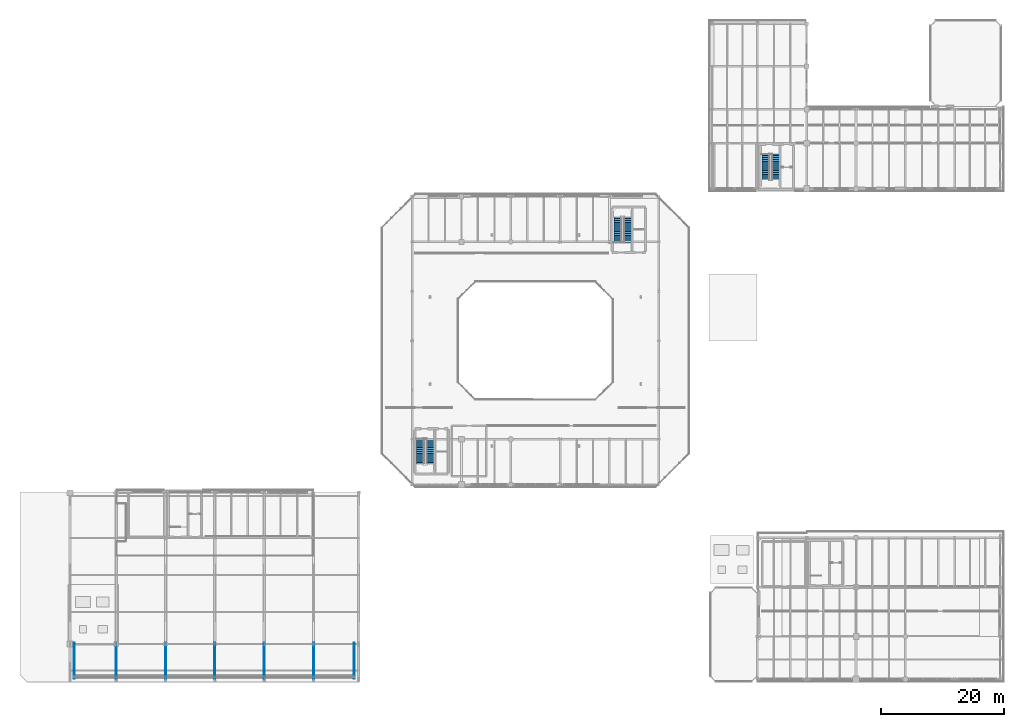
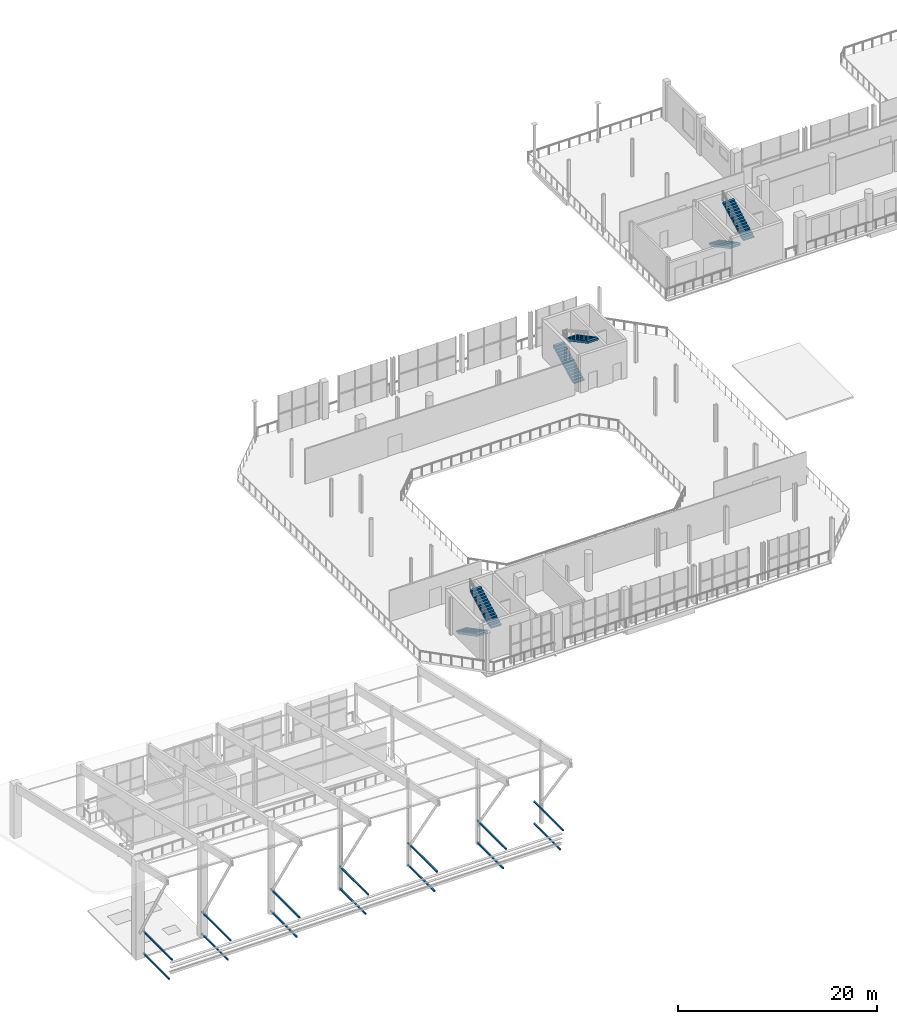
# One storey, part 40 of 51: 14 discrete accessories, 6 stair flights, 3 elements without a shape of their own.
"""IFC4 building model written with IfcOpenShell, lengths in metres."""

from ifc_helpers import new_model, si_unit, direction, frame, origin, origin_2d, place, context, subcontext, project, spatial, polyline, rectangle, outline, extrude, material, type_object, element, aggregate, save


model = new_model("IFC4")

# Units and contexts
model_context = context("Model", 3, precision=1e-05, world=origin(), true_north=direction((0.0, 1.0)))
body_context = subcontext(model_context, "Body", "Model", "MODEL_VIEW")
ifc_project = project(units=[si_unit("LENGTHUNIT", "METRE"), si_unit("AREAUNIT", "SQUARE_METRE"), si_unit("VOLUMEUNIT", "CUBIC_METRE"), si_unit("PLANEANGLEUNIT", "RADIAN"), si_unit("MASSUNIT", "GRAM", prefix="KILO")], contexts=[model_context])

# Site, building, storey
site_placement = place(None, origin())
site = spatial("IfcSite", under=ifc_project, at=site_placement, CompositionType="ELEMENT")
building_placement = place(site_placement, origin())
building = spatial("IfcBuilding", under=site, at=building_placement, Name="Brisemont Oceanarium", CompositionType="ELEMENT")
storey_placement = place(building_placement, frame((0.0, 0.0, 15.0)))
storey = spatial("IfcBuildingStorey", under=building, at=storey_placement, Name="L03", CompositionType="ELEMENT", Elevation=15.0)

# Stair, stair flights
ifc_material_1 = material(Name="Concrete C40/50", Category="concrete")
stair_type = type_object("IfcStairType", Name="STR-CORE-124-48", PredefinedType="HALF_TURN_STAIR", material=ifc_material_1)
stair_1_placement = place(storey_placement, origin())
stair_1 = element("IfcStair", 1, at=stair_1_placement, inside=storey, type_object=stair_type, Name="Exit stair ST-01 L03 to L04", PredefinedType="HALF_TURN_STAIR")
ifc_material_2 = material(Name="Concrete C40/50", Category="concrete")
stair_flight_type = type_object("IfcStairFlightType", Name="FLT-CORE-124-48", PredefinedType="STRAIGHT", material=ifc_material_2)
stair_flight_1_placement = place(storey_placement, frame((65.330078125, 40.14990234375, 0.0), z_axis=(0.0, 0.0, 1.0), x_axis=(0.0, -1.0, 0.0)))
stair_flight_1 = element("IfcStairFlight", 2, at=stair_flight_1_placement, type_object=stair_flight_type, Name="ST-01 L03 lower flight", NumberOfRisers=15, NumberOfTreads=14, PredefinedType="STRAIGHT", RiserHeight=0.16, TreadLength=0.303571, context=body_context, shape_type="SweptSolid", body=[
    extrude(outline(polyline([(0.0, 0.0), (0.0, 0.159912109375), (0.303466796875, 0.159912109375), (0.303466796875, 0.320068359375), (0.607177734375, 0.320068359375), (0.607177734375, 0.47998046875), (0.91064453125, 0.47998046875), (0.91064453125, 0.639892578125), (1.21435546875, 0.639892578125), (1.21435546875, 0.800048828125), (1.517822265625, 0.800048828125), (1.517822265625, 0.9599609375), (1.821533203125, 0.9599609375), (1.821533203125, 1.1201171875), (2.125, 1.1201171875), (2.125, 1.280029296875), (2.428466796875, 1.280029296875), (2.428466796875, 1.43994140625), (2.732177734375, 1.43994140625), (2.732177734375, 1.60009765625), (3.03564453125, 1.60009765625), (3.03564453125, 1.760009765625), (3.33935546875, 1.760009765625), (3.33935546875, 1.919921875), (3.642822265625, 1.919921875), (3.642822265625, 2.080078125), (3.946533203125, 2.080078125), (3.946533203125, 2.239990234375), (4.25, 2.239990234375), (4.25, 2.39990234375), (4.25, 1.991455078125), (0.4716796875, 0.0), (0.0, 0.0)])), frame((0.0, 0.6201171875, 0.0), z_axis=(0.0, -1.0, 0.0), x_axis=(1.0, 0.0, 0.0)), (0.0, 0.0, 1.0), 1.239990234375),
])
stair_flight_2_placement = place(storey_placement, frame((66.929931640625, 35.89990234375, 2.39990234375), z_axis=(0.0, 0.0, 1.0), x_axis=(0.0, 1.0, 0.0)))
stair_flight_2 = element("IfcStairFlight", 3, at=stair_flight_2_placement, type_object=stair_flight_type, Name="ST-01 L03 upper flight", NumberOfRisers=15, NumberOfTreads=14, PredefinedType="STRAIGHT", RiserHeight=0.16, TreadLength=0.303571, context=body_context, shape_type="SweptSolid", body=[
    extrude(outline(polyline([(0.0, 0.0), (0.0, 0.159912109375), (0.303466796875, 0.159912109375), (0.303466796875, 0.320068359375), (0.607177734375, 0.320068359375), (0.607177734375, 0.47998046875), (0.91064453125, 0.47998046875), (0.91064453125, 0.639892578125), (1.21435546875, 0.639892578125), (1.21435546875, 0.800048828125), (1.517822265625, 0.800048828125), (1.517822265625, 0.9599609375), (1.821533203125, 0.9599609375), (1.821533203125, 1.1201171875), (2.125, 1.1201171875), (2.125, 1.280029296875), (2.428466796875, 1.280029296875), (2.428466796875, 1.43994140625), (2.732177734375, 1.43994140625), (2.732177734375, 1.60009765625), (3.03564453125, 1.60009765625), (3.03564453125, 1.760009765625), (3.33935546875, 1.760009765625), (3.33935546875, 1.919921875), (3.642822265625, 1.919921875), (3.642822265625, 2.080078125), (3.946533203125, 2.080078125), (3.946533203125, 2.239990234375), (4.25, 2.239990234375), (4.25, 2.39990234375), (4.25, 1.991455078125), (0.4716796875, 0.0), (0.0, 0.0)])), frame((0.0, 0.6201171875, 0.0), z_axis=(0.0, -1.0, 0.0), x_axis=(1.0, 0.0, 0.0)), (0.0, 0.0, 1.0), 1.239990234375),
])
aggregate(stair_1, [stair_flight_1, stair_flight_2])

stair_2_placement = place(storey_placement, origin())
stair_2 = element("IfcStair", 4, at=stair_2_placement, inside=storey, type_object=stair_type, Name="Exit stair ST-02 L03 to L04", PredefinedType="HALF_TURN_STAIR")
stair_flight_3_placement = place(storey_placement, frame((97.330078125, 71.85009765625, 0.0), z_axis=(0.0, 0.0, 1.0), x_axis=(0.0, 1.0, 0.0)))
stair_flight_3 = element("IfcStairFlight", 5, at=stair_flight_3_placement, type_object=stair_flight_type, Name="ST-02 L03 lower flight", NumberOfRisers=15, NumberOfTreads=14, PredefinedType="STRAIGHT", RiserHeight=0.16, TreadLength=0.303571, context=body_context, shape_type="SweptSolid", body=[
    extrude(outline(polyline([(0.0, 0.0), (0.0, 0.159912109375), (0.303466796875, 0.159912109375), (0.303466796875, 0.320068359375), (0.607177734375, 0.320068359375), (0.607177734375, 0.47998046875), (0.91064453125, 0.47998046875), (0.91064453125, 0.639892578125), (1.21435546875, 0.639892578125), (1.21435546875, 0.800048828125), (1.517822265625, 0.800048828125), (1.517822265625, 0.9599609375), (1.821533203125, 0.9599609375), (1.821533203125, 1.1201171875), (2.125, 1.1201171875), (2.125, 1.280029296875), (2.428466796875, 1.280029296875), (2.428466796875, 1.43994140625), (2.732177734375, 1.43994140625), (2.732177734375, 1.60009765625), (3.03564453125, 1.60009765625), (3.03564453125, 1.760009765625), (3.33935546875, 1.760009765625), (3.33935546875, 1.919921875), (3.642822265625, 1.919921875), (3.642822265625, 2.080078125), (3.946533203125, 2.080078125), (3.946533203125, 2.239990234375), (4.25, 2.239990234375), (4.25, 2.39990234375), (4.25, 1.991455078125), (0.4716796875, 0.0), (0.0, 0.0)])), frame((0.0, 0.6201171875, 0.0), z_axis=(0.0, -1.0, 0.0), x_axis=(1.0, 0.0, 0.0)), (0.0, 0.0, 1.0), 1.239990234375),
])
stair_flight_4_placement = place(storey_placement, frame((98.929931640625, 76.10009765625, 2.39990234375), z_axis=(0.0, 0.0, 1.0), x_axis=(0.0, -1.0, 0.0)))
stair_flight_4 = element("IfcStairFlight", 6, at=stair_flight_4_placement, type_object=stair_flight_type, Name="ST-02 L03 upper flight", NumberOfRisers=15, NumberOfTreads=14, PredefinedType="STRAIGHT", RiserHeight=0.16, TreadLength=0.303571, context=body_context, shape_type="SweptSolid", body=[
    extrude(outline(polyline([(0.0, 0.0), (0.0, 0.159912109375), (0.303466796875, 0.159912109375), (0.303466796875, 0.320068359375), (0.607177734375, 0.320068359375), (0.607177734375, 0.47998046875), (0.91064453125, 0.47998046875), (0.91064453125, 0.639892578125), (1.21435546875, 0.639892578125), (1.21435546875, 0.800048828125), (1.517822265625, 0.800048828125), (1.517822265625, 0.9599609375), (1.821533203125, 0.9599609375), (1.821533203125, 1.1201171875), (2.125, 1.1201171875), (2.125, 1.280029296875), (2.428466796875, 1.280029296875), (2.428466796875, 1.43994140625), (2.732177734375, 1.43994140625), (2.732177734375, 1.60009765625), (3.03564453125, 1.60009765625), (3.03564453125, 1.760009765625), (3.33935546875, 1.760009765625), (3.33935546875, 1.919921875), (3.642822265625, 1.919921875), (3.642822265625, 2.080078125), (3.946533203125, 2.080078125), (3.946533203125, 2.239990234375), (4.25, 2.239990234375), (4.25, 2.39990234375), (4.25, 1.991455078125), (0.4716796875, 0.0), (0.0, 0.0)])), frame((0.0, 0.6201171875, 0.0), z_axis=(0.0, -1.0, 0.0), x_axis=(1.0, 0.0, 0.0)), (0.0, 0.0, 1.0), 1.239990234375),
])
aggregate(stair_2, [stair_flight_3, stair_flight_4])

stair_3_placement = place(storey_placement, origin())
stair_3 = element("IfcStair", 7, at=stair_3_placement, inside=storey, type_object=stair_type, Name="Exit stair ST-07 L03 to L04", PredefinedType="HALF_TURN_STAIR")
stair_flight_5_placement = place(storey_placement, frame((121.330078125, 86.300048828125, 0.0), z_axis=(0.0, 0.0, 1.0), x_axis=(0.0, -1.0, 0.0)))
stair_flight_5 = element("IfcStairFlight", 8, at=stair_flight_5_placement, type_object=stair_flight_type, Name="ST-07 L03 lower flight", NumberOfRisers=15, NumberOfTreads=14, PredefinedType="STRAIGHT", RiserHeight=0.16, TreadLength=0.303571, context=body_context, shape_type="SweptSolid", body=[
    extrude(outline(polyline([(0.0, 0.0), (0.0, 0.159912109375), (0.303466796875, 0.159912109375), (0.303466796875, 0.320068359375), (0.607177734375, 0.320068359375), (0.607177734375, 0.47998046875), (0.91064453125, 0.47998046875), (0.91064453125, 0.639892578125), (1.21435546875, 0.639892578125), (1.21435546875, 0.800048828125), (1.517822265625, 0.800048828125), (1.517822265625, 0.9599609375), (1.821533203125, 0.9599609375), (1.821533203125, 1.1201171875), (2.125, 1.1201171875), (2.125, 1.280029296875), (2.428466796875, 1.280029296875), (2.428466796875, 1.43994140625), (2.732177734375, 1.43994140625), (2.732177734375, 1.60009765625), (3.03564453125, 1.60009765625), (3.03564453125, 1.760009765625), (3.33935546875, 1.760009765625), (3.33935546875, 1.919921875), (3.642822265625, 1.919921875), (3.642822265625, 2.080078125), (3.946533203125, 2.080078125), (3.946533203125, 2.239990234375), (4.25, 2.239990234375), (4.25, 2.39990234375), (4.25, 1.991455078125), (0.4716796875, 0.0), (0.0, 0.0)])), frame((0.0, 0.6201171875, 0.0), z_axis=(0.0, -1.0, 0.0), x_axis=(1.0, 0.0, 0.0)), (0.0, 0.0, 1.0), 1.239990234375),
])
stair_flight_6_placement = place(storey_placement, frame((122.929931640625, 82.050048828125, 2.39990234375), z_axis=(0.0, 0.0, 1.0), x_axis=(0.0, 1.0, 0.0)))
stair_flight_6 = element("IfcStairFlight", 9, at=stair_flight_6_placement, type_object=stair_flight_type, Name="ST-07 L03 upper flight", NumberOfRisers=15, NumberOfTreads=14, PredefinedType="STRAIGHT", RiserHeight=0.16, TreadLength=0.303571, context=body_context, shape_type="SweptSolid", body=[
    extrude(outline(polyline([(0.0, 0.0), (0.0, 0.159912109375), (0.303466796875, 0.159912109375), (0.303466796875, 0.320068359375), (0.607177734375, 0.320068359375), (0.607177734375, 0.47998046875), (0.91064453125, 0.47998046875), (0.91064453125, 0.639892578125), (1.21435546875, 0.639892578125), (1.21435546875, 0.800048828125), (1.517822265625, 0.800048828125), (1.517822265625, 0.9599609375), (1.821533203125, 0.9599609375), (1.821533203125, 1.1201171875), (2.125, 1.1201171875), (2.125, 1.280029296875), (2.428466796875, 1.280029296875), (2.428466796875, 1.43994140625), (2.732177734375, 1.43994140625), (2.732177734375, 1.60009765625), (3.03564453125, 1.60009765625), (3.03564453125, 1.760009765625), (3.33935546875, 1.760009765625), (3.33935546875, 1.919921875), (3.642822265625, 1.919921875), (3.642822265625, 2.080078125), (3.946533203125, 2.080078125), (3.946533203125, 2.239990234375), (4.25, 2.239990234375), (4.25, 2.39990234375), (4.25, 1.991455078125), (0.4716796875, 0.0), (0.0, 0.0)])), frame((0.0, 0.6201171875, 0.0), z_axis=(0.0, -1.0, 0.0), x_axis=(1.0, 0.0, 0.0)), (0.0, 0.0, 1.0), 1.239990234375),
])
aggregate(stair_3, [stair_flight_5, stair_flight_6])

# Discrete accessories
ifc_material_3 = material(Name="Duplex Stainless Steel EN 1.4462", Category="steel")
discrete_accessory_type = type_object("IfcDiscreteAccessoryType", Name="ACC-BRK-DSS", PredefinedType="BRACKET", material=ifc_material_3)
discrete_accessory_1_placement = place(storey_placement, frame((9.199951171875, 4.30810546875, 0.06005859375), z_axis=(0.0, 0.0, 1.0), x_axis=(1.0, 0.0, 0.0)))
element("IfcDiscreteAccessory", 10, at=discrete_accessory_1_placement, inside=storey, type_object=discrete_accessory_type, Name="V2 stepped facade outrigger bracket S1-L03", PredefinedType="BRACKET", context=body_context, shape_type="SweptSolid", body=[
    extrude(rectangle(XDim=0.159912109375, YDim=5.28369140625, at=origin_2d()), origin(), (0.0, 0.0, 1.0), 0.179931640625),
])
discrete_accessory_2_placement = place(storey_placement, frame((9.199951171875, 4.033447265625, 2.76025390625), z_axis=(0.0, 0.0, 1.0), x_axis=(1.0, 0.0, 0.0)))
element("IfcDiscreteAccessory", 11, at=discrete_accessory_2_placement, inside=storey, type_object=discrete_accessory_type, Name="V2 stepped facade outrigger bracket S1-L03T", PredefinedType="BRACKET", context=body_context, shape_type="SweptSolid", body=[
    extrude(rectangle(XDim=0.159912109375, YDim=5.8330078125, at=origin_2d()), origin(), (0.0, 0.0, 1.0), 0.179931640625),
])
discrete_accessory_3_placement = place(storey_placement, frame((16.0, 4.30810546875, 0.06005859375), z_axis=(0.0, 0.0, 1.0), x_axis=(1.0, 0.0, 0.0)))
element("IfcDiscreteAccessory", 12, at=discrete_accessory_3_placement, inside=storey, type_object=discrete_accessory_type, Name="V2 stepped facade outrigger bracket S2-L03", PredefinedType="BRACKET", context=body_context, shape_type="SweptSolid", body=[
    extrude(rectangle(XDim=0.159912109375, YDim=5.28369140625, at=origin_2d()), origin(), (0.0, 0.0, 1.0), 0.179931640625),
])
discrete_accessory_4_placement = place(storey_placement, frame((16.0, 4.033447265625, 2.76025390625), z_axis=(0.0, 0.0, 1.0), x_axis=(1.0, 0.0, 0.0)))
element("IfcDiscreteAccessory", 13, at=discrete_accessory_4_placement, inside=storey, type_object=discrete_accessory_type, Name="V2 stepped facade outrigger bracket S2-L03T", PredefinedType="BRACKET", context=body_context, shape_type="SweptSolid", body=[
    extrude(rectangle(XDim=0.159912109375, YDim=5.8330078125, at=origin_2d()), origin(), (0.0, 0.0, 1.0), 0.179931640625),
])
discrete_accessory_5_placement = place(storey_placement, frame((24.0, 4.30810546875, 0.06005859375), z_axis=(0.0, 0.0, 1.0), x_axis=(1.0, 0.0, 0.0)))
element("IfcDiscreteAccessory", 14, at=discrete_accessory_5_placement, inside=storey, type_object=discrete_accessory_type, Name="V2 stepped facade outrigger bracket S3-L03", PredefinedType="BRACKET", context=body_context, shape_type="SweptSolid", body=[
    extrude(rectangle(XDim=0.159912109375, YDim=5.28369140625, at=origin_2d()), origin(), (0.0, 0.0, 1.0), 0.179931640625),
])
discrete_accessory_6_placement = place(storey_placement, frame((24.0, 4.033447265625, 2.76025390625), z_axis=(0.0, 0.0, 1.0), x_axis=(1.0, 0.0, 0.0)))
element("IfcDiscreteAccessory", 15, at=discrete_accessory_6_placement, inside=storey, type_object=discrete_accessory_type, Name="V2 stepped facade outrigger bracket S3-L03T", PredefinedType="BRACKET", context=body_context, shape_type="SweptSolid", body=[
    extrude(rectangle(XDim=0.159912109375, YDim=5.8330078125, at=origin_2d()), origin(), (0.0, 0.0, 1.0), 0.179931640625),
])
discrete_accessory_7_placement = place(storey_placement, frame((32.0, 4.30810546875, 0.06005859375), z_axis=(0.0, 0.0, 1.0), x_axis=(1.0, 0.0, 0.0)))
element("IfcDiscreteAccessory", 16, at=discrete_accessory_7_placement, inside=storey, type_object=discrete_accessory_type, Name="V2 stepped facade outrigger bracket S4-L03", PredefinedType="BRACKET", context=body_context, shape_type="SweptSolid", body=[
    extrude(rectangle(XDim=0.159912109375, YDim=5.28369140625, at=origin_2d()), origin(), (0.0, 0.0, 1.0), 0.179931640625),
])
discrete_accessory_8_placement = place(storey_placement, frame((32.0, 4.033447265625, 2.76025390625), z_axis=(0.0, 0.0, 1.0), x_axis=(1.0, 0.0, 0.0)))
element("IfcDiscreteAccessory", 17, at=discrete_accessory_8_placement, inside=storey, type_object=discrete_accessory_type, Name="V2 stepped facade outrigger bracket S4-L03T", PredefinedType="BRACKET", context=body_context, shape_type="SweptSolid", body=[
    extrude(rectangle(XDim=0.159912109375, YDim=5.8330078125, at=origin_2d()), origin(), (0.0, 0.0, 1.0), 0.179931640625),
])
discrete_accessory_9_placement = place(storey_placement, frame((40.0, 4.30810546875, 0.06005859375), z_axis=(0.0, 0.0, 1.0), x_axis=(1.0, 0.0, 0.0)))
element("IfcDiscreteAccessory", 18, at=discrete_accessory_9_placement, inside=storey, type_object=discrete_accessory_type, Name="V2 stepped facade outrigger bracket S5-L03", PredefinedType="BRACKET", context=body_context, shape_type="SweptSolid", body=[
    extrude(rectangle(XDim=0.159912109375, YDim=5.28369140625, at=origin_2d()), origin(), (0.0, 0.0, 1.0), 0.179931640625),
])
discrete_accessory_10_placement = place(storey_placement, frame((40.0, 4.033447265625, 2.76025390625), z_axis=(0.0, 0.0, 1.0), x_axis=(1.0, 0.0, 0.0)))
element("IfcDiscreteAccessory", 19, at=discrete_accessory_10_placement, inside=storey, type_object=discrete_accessory_type, Name="V2 stepped facade outrigger bracket S5-L03T", PredefinedType="BRACKET", context=body_context, shape_type="SweptSolid", body=[
    extrude(rectangle(XDim=0.159912109375, YDim=5.8330078125, at=origin_2d()), origin(), (0.0, 0.0, 1.0), 0.179931640625),
])
discrete_accessory_11_placement = place(storey_placement, frame((48.0, 4.30810546875, 0.06005859375), z_axis=(0.0, 0.0, 1.0), x_axis=(1.0, 0.0, 0.0)))
element("IfcDiscreteAccessory", 20, at=discrete_accessory_11_placement, inside=storey, type_object=discrete_accessory_type, Name="V2 stepped facade outrigger bracket S6-L03", PredefinedType="BRACKET", context=body_context, shape_type="SweptSolid", body=[
    extrude(rectangle(XDim=0.159912109375, YDim=5.28369140625, at=origin_2d()), origin(), (0.0, 0.0, 1.0), 0.179931640625),
])
discrete_accessory_12_placement = place(storey_placement, frame((48.0, 4.033447265625, 2.76025390625), z_axis=(0.0, 0.0, 1.0), x_axis=(1.0, 0.0, 0.0)))
element("IfcDiscreteAccessory", 21, at=discrete_accessory_12_placement, inside=storey, type_object=discrete_accessory_type, Name="V2 stepped facade outrigger bracket S6-L03T", PredefinedType="BRACKET", context=body_context, shape_type="SweptSolid", body=[
    extrude(rectangle(XDim=0.159912109375, YDim=5.8330078125, at=origin_2d()), origin(), (0.0, 0.0, 1.0), 0.179931640625),
])
discrete_accessory_13_placement = place(storey_placement, frame((54.60009765625, 4.30810546875, 0.06005859375), z_axis=(0.0, 0.0, 1.0), x_axis=(1.0, 0.0, 0.0)))
element("IfcDiscreteAccessory", 22, at=discrete_accessory_13_placement, inside=storey, type_object=discrete_accessory_type, Name="V2 stepped facade outrigger bracket S7-L03", PredefinedType="BRACKET", context=body_context, shape_type="SweptSolid", body=[
    extrude(rectangle(XDim=0.159912109375, YDim=5.28369140625, at=origin_2d()), origin(), (0.0, 0.0, 1.0), 0.179931640625),
])
discrete_accessory_14_placement = place(storey_placement, frame((54.60009765625, 4.033447265625, 2.76025390625), z_axis=(0.0, 0.0, 1.0), x_axis=(1.0, 0.0, 0.0)))
element("IfcDiscreteAccessory", 23, at=discrete_accessory_14_placement, inside=storey, type_object=discrete_accessory_type, Name="V2 stepped facade outrigger bracket S7-L03T", PredefinedType="BRACKET", context=body_context, shape_type="SweptSolid", body=[
    extrude(rectangle(XDim=0.159912109375, YDim=5.8330078125, at=origin_2d()), origin(), (0.0, 0.0, 1.0), 0.179931640625),
])

save(model, "model.ifc")
